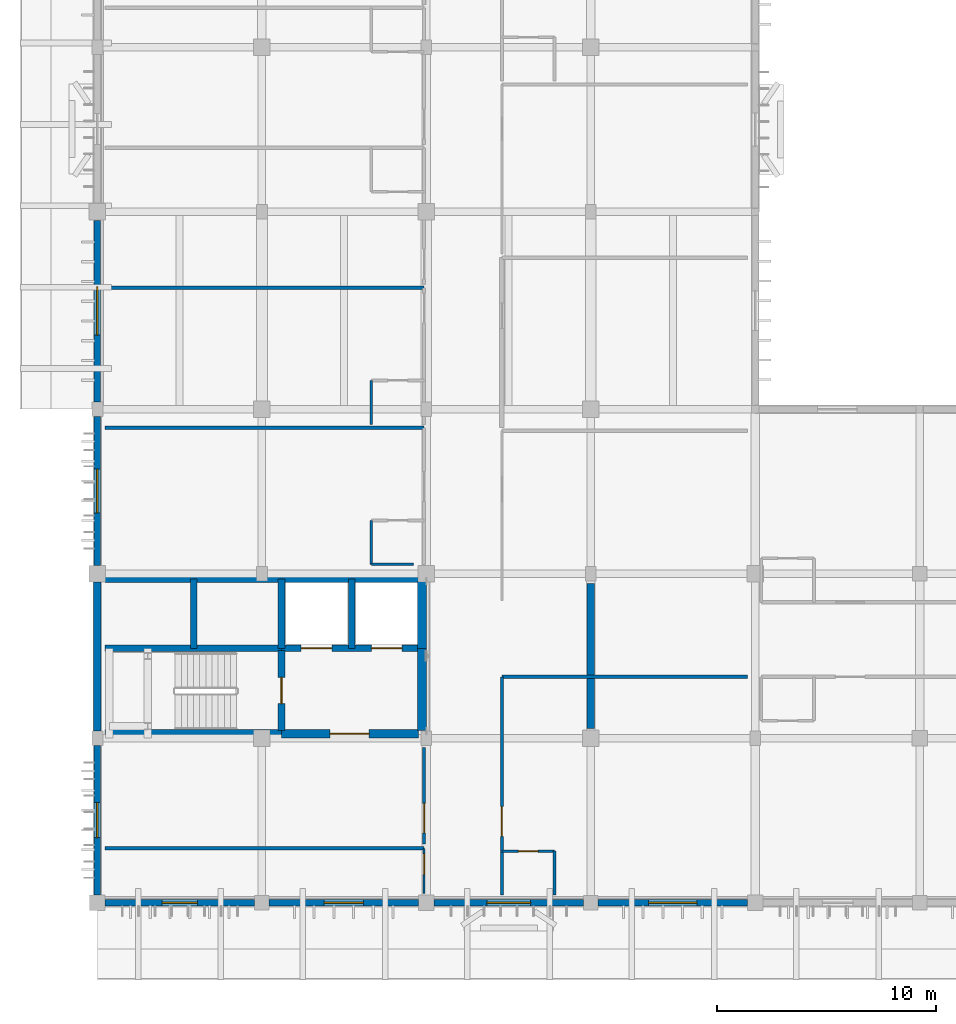
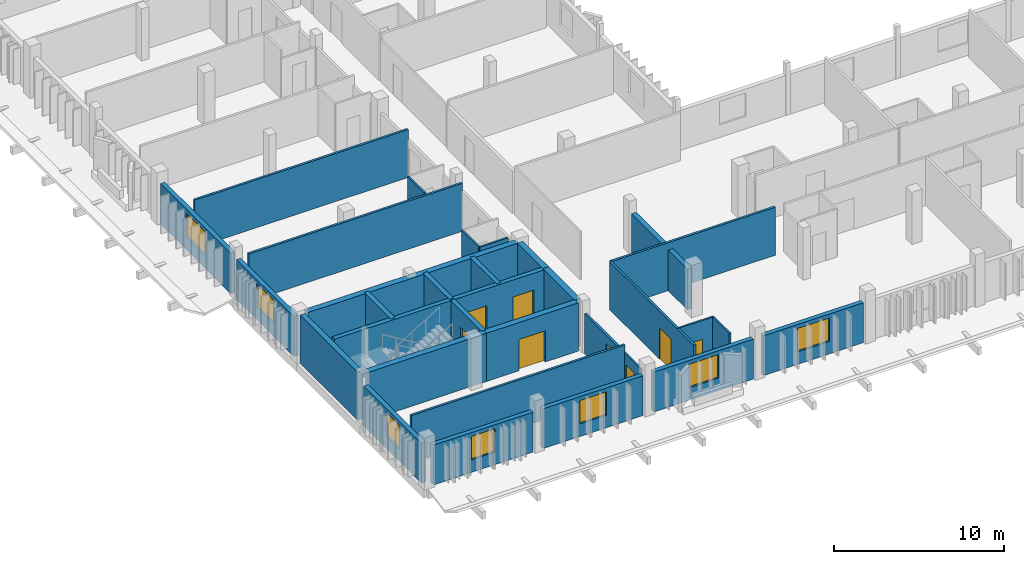
# One storey, part 14 of 43: 32 walls, 8 doors, 7 windows, 15 openings.
"""IFC4 building model written with IfcOpenShell, lengths in metres."""

from ifc_helpers import new_model, si_unit, direction, frame, frame_2d, origin, place, context, subcontext, project, spatial, rectangle, extrude, material, layer, layer_set, type_object, element, fill, save


model = new_model("IFC4")

# Units and contexts
model_context = context("Model", 3, precision=1e-05, world=origin(), true_north=direction((0.0, 1.0)))
body_context = subcontext(model_context, "Body", "Model", "MODEL_VIEW")
ifc_project = project(units=[si_unit("LENGTHUNIT", "METRE"), si_unit("AREAUNIT", "SQUARE_METRE"), si_unit("VOLUMEUNIT", "CUBIC_METRE"), si_unit("PLANEANGLEUNIT", "RADIAN"), si_unit("MASSUNIT", "GRAM", prefix="KILO")], contexts=[model_context])

# Site, building, storey
site_placement = place(None, origin())
site = spatial("IfcSite", under=ifc_project, at=site_placement, CompositionType="ELEMENT")
building_placement = place(site_placement, origin())
building = spatial("IfcBuilding", under=site, at=building_placement, Name="Dalvernix Boulevard General Hospital", CompositionType="ELEMENT")
storey_placement = place(building_placement, frame((0.0, 0.0, 14.10009765625)))
storey = spatial("IfcBuildingStorey", under=building, at=storey_placement, Name="L03", CompositionType="ELEMENT", Elevation=14.10009765625)

# Wall
ifc_material_1 = material(Name="Concrete C40/50", Category="concrete")
ifc_layer_1 = layer(ifc_material_1, 0.39990234375)
ifc_layer_set_1 = layer_set([ifc_layer_1], Name="Concrete C40/50 (WAL-CSW-01)")
wall_type_1 = type_object("IfcWallType", Name="WAL-CSW-01", PredefinedType="SHEAR", material=ifc_layer_set_1)
wall_1_placement = place(storey_placement, frame((0.35009765625, 7.699951171875, 0.0), z_axis=(0.0, 0.0, 1.0), x_axis=(1.0, 0.0, 0.0)))
element("IfcWall", 1, at=wall_1_placement, inside=storey, type_object=wall_type_1, Name="L03 C1 south stairwell wall", PredefinedType="SHEAR", context=body_context, shape_type="SweptSolid", body=[
    extrude(rectangle(XDim=8.0498046875, YDim=0.39990234375, at=frame_2d((4.02490234375, 0.0))), origin(), (0.0, 0.0, 1.0), 3.469970703125),
])

# Wall, opening, door
wall_2_placement = place(storey_placement, frame((8.39990234375, 7.699951171875, 0.0), z_axis=(0.0, 0.0, 1.0), x_axis=(1.0, 0.0, 0.0)))
wall_2 = element("IfcWall", 2, at=wall_2_placement, inside=storey, type_object=wall_type_1, Name="L03 C1 south firefighting lobby wall", PredefinedType="SHEAR", context=body_context, shape_type="SweptSolid", body=[
    extrude(rectangle(XDim=6.25, YDim=0.39990234375, at=frame_2d((3.125, 0.0))), origin(), (0.0, 0.0, 1.0), 3.469970703125),
])
opening_1_placement = place(wall_2_placement, frame((2.199951171875, 0.0, 0.0)))
opening_1 = element("IfcOpeningElement", 3, at=opening_1_placement, cuts=wall_2, Name="Opening FD-01", PredefinedType="OPENING", context=body_context, shape_type="SweptSolid", body=[
    extrude(rectangle(XDim=1.800048828125, YDim=2.25, at=frame_2d((0.89990234375, 1.125))), frame((0.0, 0.2099609375, 0.0), z_axis=(0.0, -1.0, 0.0), x_axis=(1.0, 0.0, 0.0)), (0.0, 0.0, 1.0), 0.419921875),
])
ifc_material_2 = material(Name="Hospital laminate acoustic timber and steel frame", Category="steel")
door_type_1 = type_object("IfcDoorType", Name="DR-FD-01", OperationType="DOUBLE_DOOR_SINGLE_SWING", PredefinedType="DOOR", material=ifc_material_2)
door_1_placement = place(opening_1_placement, origin())
door_1 = element("IfcDoor", 4, at=door_1_placement, inside=storey, type_object=door_type_1, Name="L03 C1 firefighting lobby door", OperationType="DOUBLE_DOOR_SINGLE_SWING", OverallHeight=2.25, OverallWidth=1.800048828125, PredefinedType="DOOR", context=body_context, shape_type="SweptSolid", body=[
    extrude(rectangle(XDim=1.800048828125, YDim=2.25, at=frame_2d((0.89990234375, 1.125))), frame((0.0, 0.02490234375, 0.0), z_axis=(0.0, -1.0, 0.0), x_axis=(1.0, 0.0, 0.0)), (0.0, 0.0, 1.0), 0.050048828125),
])
fill(opening_1, door_1)

# Walls
wall_3_placement = place(storey_placement, frame((0.35009765625, 14.800048828125, 0.0), z_axis=(0.0, 0.0, 1.0), x_axis=(1.0, 0.0, 0.0)))
element("IfcWall", 5, at=wall_3_placement, inside=storey, type_object=wall_type_1, Name="L03 C1 north shaft core wall", PredefinedType="SHEAR", context=body_context, shape_type="SweptSolid", body=[
    extrude(rectangle(XDim=14.2998046875, YDim=0.39990234375, at=frame_2d((7.14990234375, 0.0))), origin(), (0.0, 0.0, 1.0), 3.469970703125),
])
wall_4_placement = place(storey_placement, frame((14.800048828125, 7.85009765625, 0.0), z_axis=(0.0, 0.0, 1.0), x_axis=(0.0, 1.0, 0.0)))
element("IfcWall", 6, at=wall_4_placement, inside=storey, type_object=wall_type_1, Name="L03 C1 east lobby core wall", PredefinedType="SHEAR", context=body_context, shape_type="SweptSolid", body=[
    extrude(rectangle(XDim=3.75, YDim=0.39990234375, at=frame_2d((1.875, 0.0))), origin(), (0.0, 0.0, 1.0), 3.469970703125),
])
wall_5_placement = place(storey_placement, frame((14.800048828125, 11.60009765625, 0.0), z_axis=(0.0, 0.0, 1.0), x_axis=(0.0, 1.0, 0.0)))
element("IfcWall", 7, at=wall_5_placement, inside=storey, type_object=wall_type_1, Name="L03 C1 east shaft core wall", PredefinedType="SHEAR", context=body_context, shape_type="SweptSolid", body=[
    extrude(rectangle(XDim=3.0498046875, YDim=0.39990234375, at=frame_2d((1.52490234375, 0.0))), origin(), (0.0, 0.0, 1.0), 3.469970703125),
])
ifc_layer_2 = layer(ifc_material_1, 0.300048828125)
ifc_layer_set_2 = layer_set([ifc_layer_2], Name="Concrete C40/50 (WAL-CSW-02)")
wall_type_2 = type_object("IfcWallType", Name="WAL-CSW-02", PredefinedType="SHEAR", material=ifc_layer_set_2)
wall_6_placement = place(storey_placement, frame((0.35009765625, 11.60009765625, 0.0), z_axis=(0.0, 0.0, 1.0), x_axis=(1.0, 0.0, 0.0)))
element("IfcWall", 8, at=wall_6_placement, inside=storey, type_object=wall_type_2, Name="L03 C1 riser spine wall", PredefinedType="SHEAR", context=body_context, shape_type="SweptSolid", body=[
    extrude(rectangle(XDim=8.0498046875, YDim=0.300048828125, at=frame_2d((4.02490234375, 0.0))), origin(), (0.0, 0.0, 1.0), 3.469970703125),
])

# Wall, openings, doors
wall_7_placement = place(storey_placement, frame((8.39990234375, 11.60009765625, 0.0), z_axis=(0.0, 0.0, 1.0), x_axis=(1.0, 0.0, 0.0)))
wall_7 = element("IfcWall", 9, at=wall_7_placement, inside=storey, type_object=wall_type_2, Name="L03 C1 lift shaft front wall", PredefinedType="SHEAR", context=body_context, shape_type="SweptSolid", body=[
    extrude(rectangle(XDim=6.25, YDim=0.300048828125, at=frame_2d((3.125, 0.0))), origin(), (0.0, 0.0, 1.0), 3.469970703125),
])
opening_2_placement = place(wall_7_placement, frame((0.89990234375, 0.0, 0.0)))
opening_2 = element("IfcOpeningElement", 10, at=opening_2_placement, cuts=wall_7, Name="Opening LD-FFL-01-L03", PredefinedType="OPENING", context=body_context, shape_type="SweptSolid", body=[
    extrude(rectangle(XDim=1.39990234375, YDim=2.25, at=frame_2d((0.699951171875, 1.125))), frame((0.0, 0.159912109375, 0.0), z_axis=(0.0, -1.0, 0.0), x_axis=(1.0, 0.0, 0.0)), (0.0, 0.0, 1.0), 0.320068359375),
])
opening_3_placement = place(wall_7_placement, frame((4.10009765625, 0.0, 0.0)))
opening_3 = element("IfcOpeningElement", 11, at=opening_3_placement, cuts=wall_7, Name="Opening LD-FFL-02-L03", PredefinedType="OPENING", context=body_context, shape_type="SweptSolid", body=[
    extrude(rectangle(XDim=1.39990234375, YDim=2.25, at=frame_2d((0.699951171875, 1.125))), frame((0.0, 0.159912109375, 0.0), z_axis=(0.0, -1.0, 0.0), x_axis=(1.0, 0.0, 0.0)), (0.0, 0.0, 1.0), 0.320068359375),
])
ifc_material_3 = material(Name="Stainless-clad steel", Category="steel")
door_type_2 = type_object("IfcDoorType", Name="DR-LD-01", OperationType="DOUBLE_DOOR_SLIDING", PredefinedType="DOOR", material=ifc_material_3)
door_2_placement = place(opening_2_placement, origin())
door_2 = element("IfcDoor", 12, at=door_2_placement, inside=storey, type_object=door_type_2, Name="L03 Lift FFL-01 sliding landing door", OperationType="DOUBLE_DOOR_SLIDING", OverallHeight=2.25, OverallWidth=1.39990234375, PredefinedType="DOOR", context=body_context, shape_type="SweptSolid", body=[
    extrude(rectangle(XDim=1.39990234375, YDim=2.25, at=frame_2d((0.699951171875, 1.125))), frame((0.0, 0.02490234375, 0.0), z_axis=(0.0, -1.0, 0.0), x_axis=(1.0, 0.0, 0.0)), (0.0, 0.0, 1.0), 0.050048828125),
])
fill(opening_2, door_2)
door_3_placement = place(opening_3_placement, origin())
door_3 = element("IfcDoor", 13, at=door_3_placement, inside=storey, type_object=door_type_2, Name="L03 Lift FFL-02 sliding landing door", OperationType="DOUBLE_DOOR_SLIDING", OverallHeight=2.25, OverallWidth=1.39990234375, PredefinedType="DOOR", context=body_context, shape_type="SweptSolid", body=[
    extrude(rectangle(XDim=1.39990234375, YDim=2.25, at=frame_2d((0.699951171875, 1.125))), frame((0.0, 0.02490234375, 0.0), z_axis=(0.0, -1.0, 0.0), x_axis=(1.0, 0.0, 0.0)), (0.0, 0.0, 1.0), 0.050048828125),
])
fill(opening_3, door_3)

# Wall, opening, door
wall_8_placement = place(storey_placement, frame((8.39990234375, 11.5, 0.0), z_axis=(0.0, 0.0, 1.0), x_axis=(0.0, -1.0, 0.0)))
wall_8 = element("IfcWall", 14, at=wall_8_placement, inside=storey, type_object=wall_type_2, Name="L03 C1 stairwell fire wall", PredefinedType="SHEAR", context=body_context, shape_type="SweptSolid", body=[
    extrude(rectangle(XDim=3.64990234375, YDim=0.300048828125, at=frame_2d((1.824951171875, 0.0))), origin(), (0.0, 0.0, 1.0), 3.469970703125),
])
opening_4_placement = place(wall_8_placement, frame((1.219970703125, 0.0, 0.0)))
opening_4 = element("IfcOpeningElement", 15, at=opening_4_placement, cuts=wall_8, Name="Opening FD-02", PredefinedType="OPENING", context=body_context, shape_type="SweptSolid", body=[
    extrude(rectangle(XDim=1.199951171875, YDim=2.25, at=frame_2d((0.60009765625, 1.125))), frame((0.0, 0.159912109375, 0.0), z_axis=(0.0, -1.0, 0.0), x_axis=(1.0, 0.0, 0.0)), (0.0, 0.0, 1.0), 0.320068359375),
])
door_type_3 = type_object("IfcDoorType", Name="DR-FD-02", OperationType="NOTDEFINED", PredefinedType="DOOR", material=ifc_material_2)
door_4_placement = place(opening_4_placement, origin())
door_4 = element("IfcDoor", 16, at=door_4_placement, inside=storey, type_object=door_type_3, Name="L03 Stair ST-01 fire door", OperationType="SINGLE_SWING_LEFT", OverallHeight=2.25, OverallWidth=1.199951171875, PredefinedType="DOOR", context=body_context, shape_type="SweptSolid", body=[
    extrude(rectangle(XDim=1.199951171875, YDim=2.25, at=frame_2d((0.60009765625, 1.125))), frame((0.0, 0.02490234375, 0.0), z_axis=(0.0, -1.0, 0.0), x_axis=(1.0, 0.0, 0.0)), (0.0, 0.0, 1.0), 0.050048828125),
])
fill(opening_4, door_4)

# Walls
for number, where, z_axis, x_axis, name in (
    (17, (4.39990234375, 11.60009765625, 0.0), (0.0, 0.0, 1.0), (0.0, 1.0, 0.0), "L03 C1 shaft divider R1"),
    (18, (8.39990234375, 11.60009765625, 0.0), (0.0, 0.0, 1.0), (0.0, 1.0, 0.0), "L03 C1 shaft divider R2"),
    (19, (11.60009765625, 11.60009765625, 0.0), (0.0, 0.0, 1.0), (0.0, 1.0, 0.0), "L03 C1 shaft divider L1"),
):
    element("IfcWall", number, at=place(storey_placement, frame(where, z_axis=z_axis, x_axis=x_axis)), inside=storey, type_object=wall_type_2, Name=name, PredefinedType="SHEAR", context=body_context, shape_type="SweptSolid", body=[
        extrude(rectangle(XDim=3.14990234375, YDim=0.300048828125, at=frame_2d((1.574951171875, 0.0))), origin(), (0.0, 0.0, 1.0), 3.469970703125),
    ])
ifc_layer_3 = layer(ifc_material_1, 0.35009765625)
ifc_layer_set_3 = layer_set([ifc_layer_3], Name="Concrete C40/50 (WAL-ESW-01)")
wall_type_3 = type_object("IfcWallType", Name="WAL-ESW-01", PredefinedType="SHEAR", material=ifc_layer_set_3)
wall_9_placement = place(storey_placement, frame((0.0, 7.8349609375, 0.0), z_axis=(0.0, 0.0, 1.0), x_axis=(0.0, 1.0, 0.0)))
element("IfcWall", 20, at=wall_9_placement, inside=storey, type_object=wall_type_3, Name="L03 core perimeter shear wall W 0-1", PredefinedType="SHEAR", context=body_context, shape_type="SweptSolid", body=[
    extrude(rectangle(XDim=6.780029296875, YDim=0.35009765625, at=frame_2d((3.39013671875, 0.0))), origin(), (0.0, 0.0, 1.0), 3.469970703125),
])
ifc_layer_4 = layer(ifc_material_1, 0.320068359375)
ifc_layer_set_4 = layer_set([ifc_layer_4], Name="Concrete C40/50 (WAL-ESW-02)")
wall_type_4 = type_object("IfcWallType", Name="WAL-ESW-02", PredefinedType="SHEAR", material=ifc_layer_set_4)
wall_10_placement = place(storey_placement, frame((22.5, 7.949951171875, 0.0), z_axis=(0.0, 0.0, 1.0), x_axis=(0.0, 1.0, 0.0)))
element("IfcWall", 21, at=wall_10_placement, inside=storey, type_object=wall_type_4, Name="L03 reinforced concrete shear wall 1", PredefinedType="SHEAR", context=body_context, shape_type="SweptSolid", body=[
    extrude(rectangle(XDim=6.60009765625, YDim=0.320068359375, at=frame_2d((3.300048828125, 0.0))), origin(), (0.0, 0.0, 1.0), 2.919921875),
])

# Wall, opening, window
ifc_material_4 = material(Name="Pressed Catalan clay brick and ceramic spandrel wall C35/45", Category="masonry")
ifc_layer_5 = layer(ifc_material_4, 0.300048828125)
ifc_layer_set_5 = layer_set([ifc_layer_5], Name="Pressed Catalan clay brick and ceramic spandrel wall C35/45 (WAL-EW-02)")
wall_type_5 = type_object("IfcWallType", Name="WAL-EW-02", PredefinedType="STANDARD", material=ifc_layer_set_5)
wall_11_placement = place(storey_placement, frame((7.1650390625, 0.0, 0.0), z_axis=(0.0, 0.0, 1.0), x_axis=(-1.0, 0.0, 0.0)))
wall_11 = element("IfcWall", 22, at=wall_11_placement, inside=storey, type_object=wall_type_5, Name="L03 Catalan brick external wall S 0-0", PredefinedType="STANDARD", context=body_context, shape_type="SweptSolid", body=[
    extrude(rectangle(XDim=6.804931640625, YDim=0.300048828125, at=frame_2d((3.40234375, 0.0))), origin(), (0.0, 0.0, 1.0), 2.869873046875),
])
opening_5_placement = place(wall_11_placement, frame((2.6025390625, 0.0, 0.89990234375)))
opening_5 = element("IfcOpeningElement", 23, at=opening_5_placement, cuts=wall_11, Name="Opening WN-10", PredefinedType="OPENING", context=body_context, shape_type="SweptSolid", body=[
    extrude(rectangle(XDim=1.60009765625, YDim=1.68994140625, at=frame_2d((0.800048828125, 0.844970703125))), frame((0.0, 0.159912109375, 0.0), z_axis=(0.0, -1.0, 0.0), x_axis=(1.0, 0.0, 0.0)), (0.0, 0.0, 1.0), 0.320068359375),
])
ifc_material_5 = material(Name="Thermally broken aluminium frame with solar-control double glazing", Category="aluminium")
window_type_1 = type_object("IfcWindowType", Name="WIN-WN-10", PartitioningType="SINGLE_PANEL", PredefinedType="WINDOW", material=ifc_material_5)
window_1_placement = place(opening_5_placement, origin())
window_1 = element("IfcWindow", 24, at=window_1_placement, inside=storey, type_object=window_type_1, Name="L03 clinical window WN-10 S 0-0", OverallHeight=1.68994140625, OverallWidth=1.60009765625, PartitioningType="SINGLE_PANEL", PredefinedType="WINDOW", context=body_context, shape_type="SweptSolid", body=[
    extrude(rectangle(XDim=1.60009765625, YDim=1.68994140625, at=frame_2d((0.800048828125, 0.844970703125))), frame((0.0, 0.030029296875, 0.0), z_axis=(0.0, -1.0, 0.0), x_axis=(1.0, 0.0, 0.0)), (0.0, 0.0, 1.0), 0.06005859375),
])
fill(opening_5, window_1)

wall_12_placement = place(storey_placement, frame((0.0, 0.360107421875, 0.0), z_axis=(0.0, 0.0, 1.0), x_axis=(0.0, 1.0, 0.0)))
wall_12 = element("IfcWall", 25, at=wall_12_placement, inside=storey, type_object=wall_type_5, Name="L03 Catalan brick external wall W 0-0", PredefinedType="STANDARD", context=body_context, shape_type="SweptSolid", body=[
    extrude(rectangle(XDim=6.804931640625, YDim=0.300048828125, at=frame_2d((3.40234375, 0.0))), origin(), (0.0, 0.0, 1.0), 2.869873046875),
])
opening_6_placement = place(wall_12_placement, frame((2.6025390625, 0.0, 0.89990234375)))
opening_6 = element("IfcOpeningElement", 26, at=opening_6_placement, cuts=wall_12, Name="Opening WN-10", PredefinedType="OPENING", context=body_context, shape_type="SweptSolid", body=[
    extrude(rectangle(XDim=1.60009765625, YDim=1.68994140625, at=frame_2d((0.800048828125, 0.844970703125))), frame((0.0, 0.159912109375, 0.0), z_axis=(0.0, -1.0, 0.0), x_axis=(1.0, 0.0, 0.0)), (0.0, 0.0, 1.0), 0.320068359375),
])
window_2_placement = place(opening_6_placement, origin())
window_2 = element("IfcWindow", 27, at=window_2_placement, inside=storey, type_object=window_type_1, Name="L03 clinical window WN-10 W 0-0", OverallHeight=1.68994140625, OverallWidth=1.60009765625, PartitioningType="SINGLE_PANEL", PredefinedType="WINDOW", context=body_context, shape_type="SweptSolid", body=[
    extrude(rectangle(XDim=1.60009765625, YDim=1.68994140625, at=frame_2d((0.800048828125, 0.844970703125))), frame((0.0, 0.030029296875, 0.0), z_axis=(0.0, -1.0, 0.0), x_axis=(1.0, 0.0, 0.0)), (0.0, 0.0, 1.0), 0.06005859375),
])
fill(opening_6, window_2)

wall_13_placement = place(storey_placement, frame((0.0, 15.385009765625, 0.0), z_axis=(0.0, 0.0, 1.0), x_axis=(0.0, 1.0, 0.0)))
wall_13 = element("IfcWall", 28, at=wall_13_placement, inside=storey, type_object=wall_type_5, Name="L03 Catalan brick external wall W 0-2", PredefinedType="STANDARD", context=body_context, shape_type="SweptSolid", body=[
    extrude(rectangle(XDim=6.780029296875, YDim=0.300048828125, at=frame_2d((3.39013671875, 0.0))), origin(), (0.0, 0.0, 1.0), 2.869873046875),
])
opening_7_placement = place(wall_13_placement, frame((2.389892578125, 0.0, 0.89990234375)))
opening_7 = element("IfcOpeningElement", 29, at=opening_7_placement, cuts=wall_13, Name="Opening WN-12", PredefinedType="OPENING", context=body_context, shape_type="SweptSolid", body=[
    extrude(rectangle(XDim=2.0, YDim=1.68994140625, at=frame_2d((1.0, 0.844970703125))), frame((0.0, 0.159912109375, 0.0), z_axis=(0.0, -1.0, 0.0), x_axis=(1.0, 0.0, 0.0)), (0.0, 0.0, 1.0), 0.320068359375),
])
window_type_2 = type_object("IfcWindowType", Name="WIN-WN-12", PartitioningType="SINGLE_PANEL", PredefinedType="WINDOW", material=ifc_material_5)
window_3_placement = place(opening_7_placement, origin())
window_3 = element("IfcWindow", 30, at=window_3_placement, inside=storey, type_object=window_type_2, Name="L03 clinical window WN-12 W 0-2", OverallHeight=1.68994140625, OverallWidth=2.0, PartitioningType="SINGLE_PANEL", PredefinedType="WINDOW", context=body_context, shape_type="SweptSolid", body=[
    extrude(rectangle(XDim=2.0, YDim=1.68994140625, at=frame_2d((1.0, 0.844970703125))), frame((0.0, 0.030029296875, 0.0), z_axis=(0.0, -1.0, 0.0), x_axis=(1.0, 0.0, 0.0)), (0.0, 0.0, 1.0), 0.06005859375),
])
fill(opening_7, window_3)

wall_14_placement = place(storey_placement, frame((0.0, 22.8349609375, 0.0), z_axis=(0.0, 0.0, 1.0), x_axis=(0.0, 1.0, 0.0)))
wall_14 = element("IfcWall", 31, at=wall_14_placement, inside=storey, type_object=wall_type_5, Name="L03 Catalan brick external wall W 0-3", PredefinedType="STANDARD", context=body_context, shape_type="SweptSolid", body=[
    extrude(rectangle(XDim=8.280029296875, YDim=0.300048828125, at=frame_2d((4.14013671875, 0.0))), origin(), (0.0, 0.0, 1.0), 2.919921875),
])
opening_8_placement = place(wall_14_placement, frame((3.0400390625, 0.0, 0.89990234375)))
opening_8 = element("IfcOpeningElement", 32, at=opening_8_placement, cuts=wall_14, Name="Opening WN-13", PredefinedType="OPENING", context=body_context, shape_type="SweptSolid", body=[
    extrude(rectangle(XDim=2.199951171875, YDim=1.739990234375, at=frame_2d((1.10009765625, 0.8701171875))), frame((0.0, 0.159912109375, 0.0), z_axis=(0.0, -1.0, 0.0), x_axis=(1.0, 0.0, 0.0)), (0.0, 0.0, 1.0), 0.320068359375),
])
window_type_3 = type_object("IfcWindowType", Name="WIN-WN-13", PartitioningType="SINGLE_PANEL", PredefinedType="WINDOW", material=ifc_material_5)
window_4_placement = place(opening_8_placement, origin())
window_4 = element("IfcWindow", 33, at=window_4_placement, inside=storey, type_object=window_type_3, Name="L03 clinical window WN-13 W 0-3", OverallHeight=1.739990234375, OverallWidth=2.199951171875, PartitioningType="SINGLE_PANEL", PredefinedType="WINDOW", context=body_context, shape_type="SweptSolid", body=[
    extrude(rectangle(XDim=2.199951171875, YDim=1.739990234375, at=frame_2d((1.10009765625, 0.8701171875))), frame((0.0, 0.030029296875, 0.0), z_axis=(0.0, -1.0, 0.0), x_axis=(1.0, 0.0, 0.0)), (0.0, 0.0, 1.0), 0.06005859375),
])
fill(opening_8, window_4)

wall_15_placement = place(storey_placement, frame((14.639892578125, 0.0, 0.0), z_axis=(0.0, 0.0, 1.0), x_axis=(-1.0, 0.0, 0.0)))
wall_15 = element("IfcWall", 34, at=wall_15_placement, inside=storey, type_object=wall_type_5, Name="L03 Catalan brick external wall S 1-0", PredefinedType="STANDARD", context=body_context, shape_type="SweptSolid", body=[
    extrude(rectangle(XDim=6.804931640625, YDim=0.300048828125, at=frame_2d((3.40234375, 0.0))), origin(), (0.0, 0.0, 1.0), 2.869873046875),
])
opening_9_placement = place(wall_15_placement, frame((2.50244140625, 0.0, 0.89990234375)))
opening_9 = element("IfcOpeningElement", 35, at=opening_9_placement, cuts=wall_15, Name="Opening WN-11", PredefinedType="OPENING", context=body_context, shape_type="SweptSolid", body=[
    extrude(rectangle(XDim=1.800048828125, YDim=1.68994140625, at=frame_2d((0.89990234375, 0.844970703125))), frame((0.0, 0.159912109375, 0.0), z_axis=(0.0, -1.0, 0.0), x_axis=(1.0, 0.0, 0.0)), (0.0, 0.0, 1.0), 0.320068359375),
])
window_type_4 = type_object("IfcWindowType", Name="WIN-WN-11", PartitioningType="SINGLE_PANEL", PredefinedType="WINDOW", material=ifc_material_5)
window_5_placement = place(opening_9_placement, origin())
window_5 = element("IfcWindow", 36, at=window_5_placement, inside=storey, type_object=window_type_4, Name="L03 clinical window WN-11 S 1-0", OverallHeight=1.68994140625, OverallWidth=1.800048828125, PartitioningType="SINGLE_PANEL", PredefinedType="WINDOW", context=body_context, shape_type="SweptSolid", body=[
    extrude(rectangle(XDim=1.800048828125, YDim=1.68994140625, at=frame_2d((0.89990234375, 0.844970703125))), frame((0.0, 0.030029296875, 0.0), z_axis=(0.0, -1.0, 0.0), x_axis=(1.0, 0.0, 0.0)), (0.0, 0.0, 1.0), 0.06005859375),
])
fill(opening_9, window_5)

wall_16_placement = place(storey_placement, frame((22.1650390625, 0.0, 0.0), z_axis=(0.0, 0.0, 1.0), x_axis=(-1.0, 0.0, 0.0)))
wall_16 = element("IfcWall", 37, at=wall_16_placement, inside=storey, type_object=wall_type_5, Name="L03 Catalan brick external wall S 2-0", PredefinedType="STANDARD", context=body_context, shape_type="SweptSolid", body=[
    extrude(rectangle(XDim=6.804931640625, YDim=0.300048828125, at=frame_2d((3.40234375, 0.0))), origin(), (0.0, 0.0, 1.0), 2.869873046875),
])
opening_10_placement = place(wall_16_placement, frame((2.402587890625, 0.0, 0.89990234375)))
opening_10 = element("IfcOpeningElement", 38, at=opening_10_placement, cuts=wall_16, Name="Opening WN-12", PredefinedType="OPENING", context=body_context, shape_type="SweptSolid", body=[
    extrude(rectangle(XDim=2.0, YDim=1.68994140625, at=frame_2d((1.0, 0.844970703125))), frame((0.0, 0.159912109375, 0.0), z_axis=(0.0, -1.0, 0.0), x_axis=(1.0, 0.0, 0.0)), (0.0, 0.0, 1.0), 0.320068359375),
])
window_6_placement = place(opening_10_placement, origin())
window_6 = element("IfcWindow", 39, at=window_6_placement, inside=storey, type_object=window_type_2, Name="L03 clinical window WN-12 S 2-0", OverallHeight=1.68994140625, OverallWidth=2.0, PartitioningType="SINGLE_PANEL", PredefinedType="WINDOW", context=body_context, shape_type="SweptSolid", body=[
    extrude(rectangle(XDim=2.0, YDim=1.68994140625, at=frame_2d((1.0, 0.844970703125))), frame((0.0, 0.030029296875, 0.0), z_axis=(0.0, -1.0, 0.0), x_axis=(1.0, 0.0, 0.0)), (0.0, 0.0, 1.0), 0.06005859375),
])
fill(opening_10, window_6)

wall_17_placement = place(storey_placement, frame((29.639892578125, 0.0, 0.0), z_axis=(0.0, 0.0, 1.0), x_axis=(-1.0, 0.0, 0.0)))
wall_17 = element("IfcWall", 40, at=wall_17_placement, inside=storey, type_object=wall_type_5, Name="L03 Catalan brick external wall S 3-0", PredefinedType="STANDARD", context=body_context, shape_type="SweptSolid", body=[
    extrude(rectangle(XDim=6.804931640625, YDim=0.300048828125, at=frame_2d((3.40234375, 0.0))), origin(), (0.0, 0.0, 1.0), 2.869873046875),
])
opening_11_placement = place(wall_17_placement, frame((2.302490234375, 0.0, 0.89990234375)))
opening_11 = element("IfcOpeningElement", 41, at=opening_11_placement, cuts=wall_17, Name="Opening WN-13", PredefinedType="OPENING", context=body_context, shape_type="SweptSolid", body=[
    extrude(rectangle(XDim=2.199951171875, YDim=1.68994140625, at=frame_2d((1.10009765625, 0.844970703125))), frame((0.0, 0.159912109375, 0.0), z_axis=(0.0, -1.0, 0.0), x_axis=(1.0, 0.0, 0.0)), (0.0, 0.0, 1.0), 0.320068359375),
])
window_7_placement = place(opening_11_placement, origin())
window_7 = element("IfcWindow", 42, at=window_7_placement, inside=storey, type_object=window_type_3, Name="L03 clinical window WN-13 S 3-0", OverallHeight=1.68994140625, OverallWidth=2.199951171875, PartitioningType="SINGLE_PANEL", PredefinedType="WINDOW", context=body_context, shape_type="SweptSolid", body=[
    extrude(rectangle(XDim=2.199951171875, YDim=1.68994140625, at=frame_2d((1.10009765625, 0.844970703125))), frame((0.0, 0.030029296875, 0.0), z_axis=(0.0, -1.0, 0.0), x_axis=(1.0, 0.0, 0.0)), (0.0, 0.0, 1.0), 0.06005859375),
])
fill(opening_11, window_7)

# Wall, opening, door
ifc_material_6 = material(Name="Acoustic double-stud gypsum inpatient partition")
ifc_layer_6 = layer(ifc_material_6, 0.14990234375)
ifc_layer_set_6 = layer_set([ifc_layer_6], Name="Acoustic double-stud gypsum inpatient partition (WAL-IW-04)")
wall_type_6 = type_object("IfcWallType", Name="WAL-IW-04", PredefinedType="PARTITIONING", material=ifc_layer_set_6)
wall_18_placement = place(storey_placement, frame((14.89990234375, 2.679931640625, 0.0), z_axis=(0.0, 0.0, 1.0), x_axis=(0.0, 1.0, 0.0)))
wall_18 = element("IfcWall", 43, at=wall_18_placement, inside=storey, type_object=wall_type_6, Name="L03 On-Call Duty Room L03 corridor wall", PredefinedType="PARTITIONING", context=body_context, shape_type="SweptSolid", body=[
    extrude(rectangle(XDim=4.39013671875, YDim=0.14990234375, at=frame_2d((2.195068359375, 0.0))), origin(), (0.0, 0.0, 1.0), 2.90478515625),
])
opening_12_placement = place(wall_18_placement, frame((0.50390625, 0.0, 0.0)))
opening_12 = element("IfcOpeningElement", 44, at=opening_12_placement, cuts=wall_18, Name="Opening ID-01", PredefinedType="OPENING", context=body_context, shape_type="SweptSolid", body=[
    extrude(rectangle(XDim=1.35009765625, YDim=2.25, at=frame_2d((0.675048828125, 1.125))), frame((0.0, 0.0849609375, 0.0), z_axis=(0.0, -1.0, 0.0), x_axis=(1.0, 0.0, 0.0)), (0.0, 0.0, 1.0), 0.169921875),
])
door_type_4 = type_object("IfcDoorType", Name="DR-ID-01", OperationType="NOTDEFINED", PredefinedType="DOOR", material=ifc_material_2)
door_5_placement = place(opening_12_placement, origin())
door_5 = element("IfcDoor", 45, at=door_5_placement, inside=storey, type_object=door_type_4, Name="L03 On-Call Duty Room L03 door", OperationType="SINGLE_SWING_LEFT", OverallHeight=2.25, OverallWidth=1.35009765625, PredefinedType="DOOR", context=body_context, shape_type="SweptSolid", body=[
    extrude(rectangle(XDim=1.35009765625, YDim=2.25, at=frame_2d((0.675048828125, 1.125))), frame((0.0, 0.02490234375, 0.0), z_axis=(0.0, -1.0, 0.0), x_axis=(1.0, 0.0, 0.0)), (0.0, 0.0, 1.0), 0.050048828125),
])
fill(opening_12, door_5)

wall_19_placement = place(storey_placement, frame((18.449951171875, 10.300048828125, 0.0), z_axis=(0.0, 0.0, 1.0), x_axis=(0.0, -1.0, 0.0)))
wall_19 = element("IfcWall", 46, at=wall_19_placement, inside=storey, type_object=wall_type_6, Name="L03 Single Patient Room L03-ES0 corridor wall", PredefinedType="PARTITIONING", context=body_context, shape_type="SweptSolid", body=[
    extrude(rectangle(XDim=9.949951171875, YDim=0.14990234375, at=frame_2d((4.97509765625, 0.0))), origin(), (0.0, 0.0, 1.0), 3.454833984375),
])
opening_13_placement = place(wall_19_placement, frame((5.919921875, 0.0, 0.0)))
opening_13 = element("IfcOpeningElement", 47, at=opening_13_placement, cuts=wall_19, Name="Opening ID-01", PredefinedType="OPENING", context=body_context, shape_type="SweptSolid", body=[
    extrude(rectangle(XDim=1.35009765625, YDim=2.25, at=frame_2d((0.675048828125, 1.125))), frame((0.0, 0.0849609375, 0.0), z_axis=(0.0, -1.0, 0.0), x_axis=(1.0, 0.0, 0.0)), (0.0, 0.0, 1.0), 0.169921875),
])
door_6_placement = place(opening_13_placement, origin())
door_6 = element("IfcDoor", 48, at=door_6_placement, inside=storey, type_object=door_type_4, Name="L03 Single Patient Room L03-ES0 door", OperationType="SINGLE_SWING_RIGHT", OverallHeight=2.25, OverallWidth=1.35009765625, PredefinedType="DOOR", context=body_context, shape_type="SweptSolid", body=[
    extrude(rectangle(XDim=1.35009765625, YDim=2.25, at=frame_2d((0.675048828125, 1.125))), frame((0.0, 0.02490234375, 0.0), z_axis=(0.0, -1.0, 0.0), x_axis=(1.0, 0.0, 0.0)), (0.0, 0.0, 1.0), 0.050048828125),
])
fill(opening_13, door_6)

# Walls
for number, where, z_axis, x_axis, name in (
    (49, (0.35009765625, 2.47998046875, 0.0), (0.0, 0.0, 1.0), (1.0, 0.0, 0.0), "L03 Accessible Public WC L03 West partition"),
    (50, (0.35009765625, 21.6533203125, 0.0), (0.0, 0.0, 1.0), (1.0, 0.0, 0.0), "L03 Cardiology Step-Down Patient Room L03-W02 partition"),
    (51, (0.35009765625, 28.03662109375, 0.0), (0.0, 0.0, 1.0), (1.0, 0.0, 0.0), "L03 Telemetry Ward Bay L03-W03 partition"),
):
    element("IfcWall", number, at=place(storey_placement, frame(where, z_axis=z_axis, x_axis=x_axis)), inside=storey, type_object=wall_type_6, Name=name, PredefinedType="PARTITIONING", context=body_context, shape_type="SweptSolid", body=[
        extrude(rectangle(XDim=14.5498046875, YDim=0.14990234375, at=frame_2d((7.27490234375, 0.0))), origin(), (0.0, 0.0, 1.0), 3.454833984375),
    ])
wall_20_placement = place(storey_placement, frame((18.449951171875, 10.300048828125, 0.0), z_axis=(0.0, 0.0, 1.0), x_axis=(1.0, 0.0, 0.0)))
element("IfcWall", 52, at=wall_20_placement, inside=storey, type_object=wall_type_6, Name="L03 Single Patient Room L03-ES0 partition", PredefinedType="PARTITIONING", context=body_context, shape_type="SweptSolid", body=[
    extrude(rectangle(XDim=11.199951171875, YDim=0.14990234375, at=frame_2d((5.60009765625, 0.0))), origin(), (0.0, 0.0, 1.0), 3.454833984375),
])
ifc_material_7 = material(Name="Moisture-resistant en-suite bathroom partition")
ifc_layer_7 = layer(ifc_material_7, 0.1201171875)
ifc_layer_set_7 = layer_set([ifc_layer_7], Name="Moisture-resistant en-suite bathroom partition (WAL-IW-05)")
wall_type_7 = type_object("IfcWallType", Name="WAL-IW-05", PredefinedType="PARTITIONING", material=ifc_layer_set_7)
for number, where, z_axis, x_axis, name in (
    (53, (12.5, 15.429931640625, 0.0), (0.0, 0.0, 1.0), (0.0, 1.0, 0.0), "L03 en-suite bathroom side wall"),
    (54, (12.5, 21.813232421875, 0.0), (0.0, 0.0, 1.0), (0.0, 1.0, 0.0), "L03 en-suite bathroom side wall"),
):
    element("IfcWall", number, at=place(storey_placement, frame(where, z_axis=z_axis, x_axis=x_axis)), inside=storey, type_object=wall_type_7, Name=name, PredefinedType="PARTITIONING", context=body_context, shape_type="SweptSolid", body=[
        extrude(rectangle(XDim=2.0, YDim=0.1201171875, at=frame_2d((1.0, 0.0))), origin(), (0.0, 0.0, 1.0), 3.454833984375),
    ])

# Wall, opening, door
wall_21_placement = place(storey_placement, frame((20.85009765625, 2.35009765625, 0.0), z_axis=(0.0, 0.0, 1.0), x_axis=(-1.0, 0.0, 0.0)))
wall_21 = element("IfcWall", 55, at=wall_21_placement, inside=storey, type_object=wall_type_7, Name="L03 en-suite bathroom door wall", PredefinedType="PARTITIONING", context=body_context, shape_type="SweptSolid", body=[
    extrude(rectangle(XDim=2.400146484375, YDim=0.1201171875, at=frame_2d((1.2001953125, 0.0))), origin(), (0.0, 0.0, 1.0), 3.454833984375),
])
opening_14_placement = place(wall_21_placement, frame((0.75, 0.0, 0.0)))
opening_14 = element("IfcOpeningElement", 56, at=opening_14_placement, cuts=wall_21, Name="Opening ID-05", PredefinedType="OPENING", context=body_context, shape_type="SweptSolid", body=[
    extrude(rectangle(XDim=0.89990234375, YDim=2.10009765625, at=frame_2d((0.449951171875, 1.050048828125))), frame((0.0, 0.070068359375, 0.0), z_axis=(0.0, -1.0, 0.0), x_axis=(1.0, 0.0, 0.0)), (0.0, 0.0, 1.0), 0.14013671875),
])
door_type_5 = type_object("IfcDoorType", Name="DR-ID-05", OperationType="NOTDEFINED", PredefinedType="DOOR", material=ifc_material_2)
door_7_placement = place(opening_14_placement, origin())
door_7 = element("IfcDoor", 57, at=door_7_placement, inside=storey, type_object=door_type_5, Name="L03 L03-RM-ES0 en-suite bathroom door", OperationType="SINGLE_SWING_LEFT", OverallHeight=2.10009765625, OverallWidth=0.89990234375, PredefinedType="DOOR", context=body_context, shape_type="SweptSolid", body=[
    extrude(rectangle(XDim=0.89990234375, YDim=2.10009765625, at=frame_2d((0.449951171875, 1.050048828125))), frame((0.0, 0.02490234375, 0.0), z_axis=(0.0, -1.0, 0.0), x_axis=(1.0, 0.0, 0.0)), (0.0, 0.0, 1.0), 0.050048828125),
])
fill(opening_14, door_7)

# Walls
wall_22_placement = place(storey_placement, frame((20.85009765625, 0.35009765625, 0.0), z_axis=(0.0, 0.0, 1.0), x_axis=(0.0, 1.0, 0.0)))
element("IfcWall", 58, at=wall_22_placement, inside=storey, type_object=wall_type_7, Name="L03 en-suite bathroom side wall", PredefinedType="PARTITIONING", context=body_context, shape_type="SweptSolid", body=[
    extrude(rectangle(XDim=2.0, YDim=0.1201171875, at=frame_2d((1.0, 0.0))), origin(), (0.0, 0.0, 1.0), 3.454833984375),
])
wall_23_placement = place(storey_placement, frame((12.5, 15.429931640625, 0.0), z_axis=(0.0, 0.0, 1.0), x_axis=(1.0, 0.0, 0.0)))
element("IfcWall", 59, at=wall_23_placement, inside=storey, type_object=wall_type_7, Name="L03 En-suite Bathroom WRD-W02 enclosure wall S", PredefinedType="PARTITIONING", context=body_context, shape_type="SweptSolid", body=[
    extrude(rectangle(XDim=1.925048828125, YDim=0.1201171875, at=frame_2d((0.96240234375, 0.0))), origin(), (0.0, 0.0, 1.0), 3.454833984375),
])

# Wall, opening, door
ifc_material_8 = material(Name="Fire-resisting clinical sub-partition")
ifc_layer_8 = layer(ifc_material_8, 0.10009765625)
ifc_layer_set_8 = layer_set([ifc_layer_8], Name="Fire-resisting clinical sub-partition (WAL-IW-06)")
wall_type_8 = type_object("IfcWallType", Name="WAL-IW-06", PredefinedType="PARTITIONING", material=ifc_layer_set_8)
wall_24_placement = place(storey_placement, frame((14.89990234375, 0.429931640625, 0.0), z_axis=(0.0, 0.0, 1.0), x_axis=(0.0, 1.0, 0.0)))
wall_24 = element("IfcWall", 60, at=wall_24_placement, inside=storey, type_object=wall_type_8, Name="L03 Accessible Public WC L03 West corridor wall", PredefinedType="PARTITIONING", context=body_context, shape_type="SweptSolid", body=[
    extrude(rectangle(XDim=2.050048828125, YDim=0.10009765625, at=frame_2d((1.02490234375, 0.0))), origin(), (0.0, 0.0, 1.0), 2.90478515625),
])
opening_15_placement = place(wall_24_placement, frame((0.85009765625, 0.0, 0.0)))
opening_15 = element("IfcOpeningElement", 61, at=opening_15_placement, cuts=wall_24, Name="Opening ID-06", PredefinedType="OPENING", context=body_context, shape_type="SweptSolid", body=[
    extrude(rectangle(XDim=0.949951171875, YDim=2.14990234375, at=frame_2d((0.47509765625, 1.074951171875))), frame((0.0, 0.06005859375, 0.0), z_axis=(0.0, -1.0, 0.0), x_axis=(1.0, 0.0, 0.0)), (0.0, 0.0, 1.0), 0.1201171875),
])
door_type_6 = type_object("IfcDoorType", Name="DR-ID-06", OperationType="NOTDEFINED", PredefinedType="DOOR", material=ifc_material_2)
door_8_placement = place(opening_15_placement, origin())
door_8 = element("IfcDoor", 62, at=door_8_placement, inside=storey, type_object=door_type_6, Name="L03 Accessible Public WC L03 West door", OperationType="SINGLE_SWING_RIGHT", OverallHeight=2.14990234375, OverallWidth=0.949951171875, PredefinedType="DOOR", context=body_context, shape_type="SweptSolid", body=[
    extrude(rectangle(XDim=0.949951171875, YDim=2.14990234375, at=frame_2d((0.47509765625, 1.074951171875))), frame((0.0, 0.02490234375, 0.0), z_axis=(0.0, -1.0, 0.0), x_axis=(1.0, 0.0, 0.0)), (0.0, 0.0, 1.0), 0.050048828125),
])
fill(opening_15, door_8)

save(model, "model.ifc")
